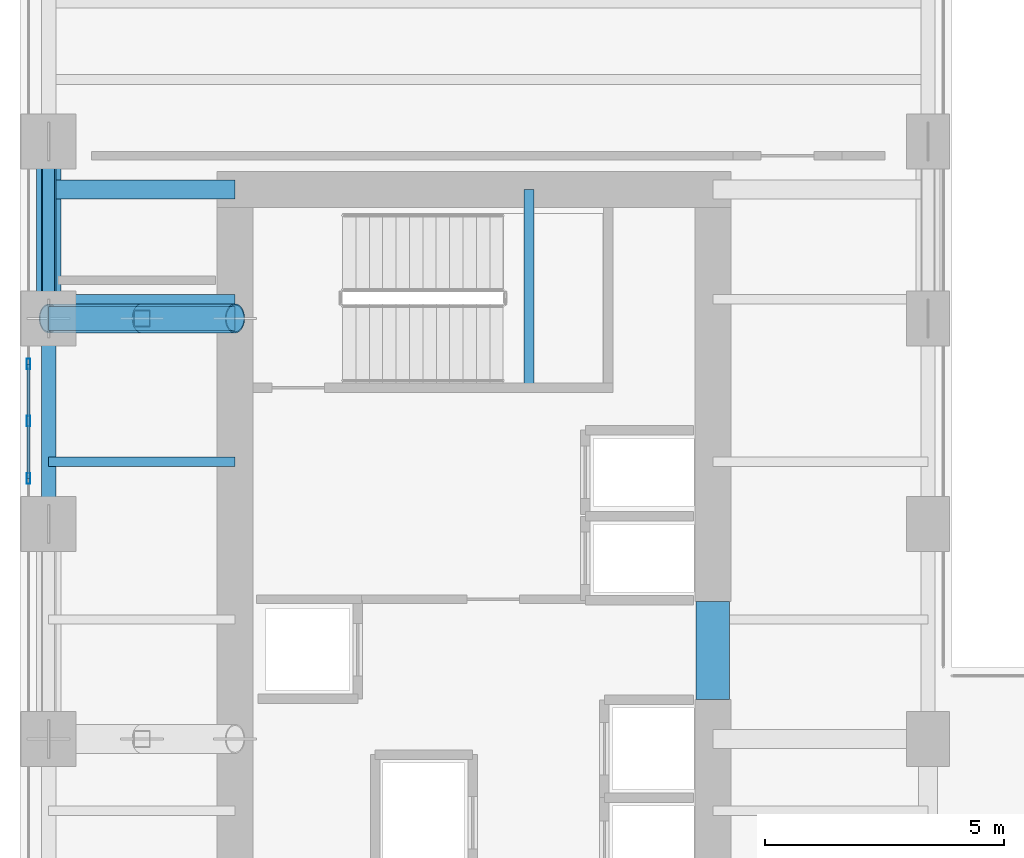
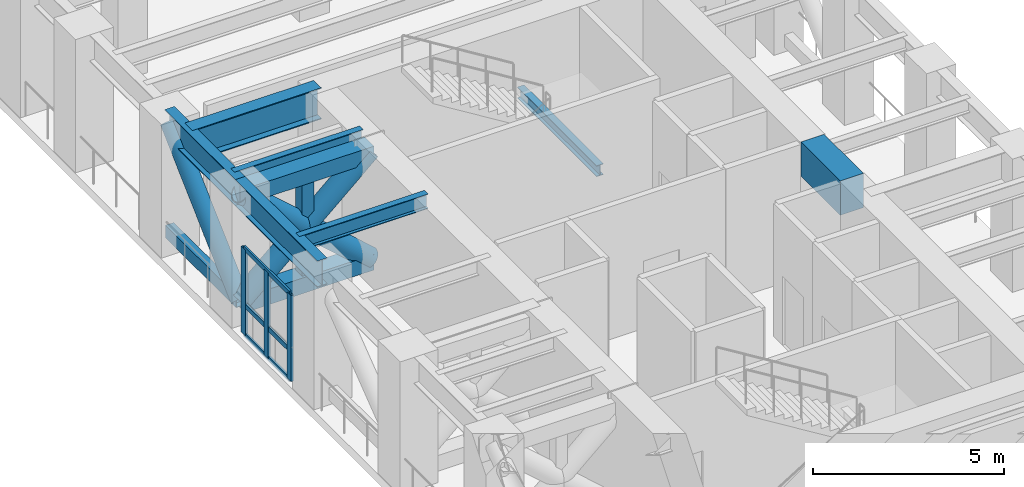
# One storey, part 4 of 16: 14 members, 7 beams, 1 element without a shape of its own.
"""IFC4 building model written with IfcOpenShell, lengths in metres."""

from ifc_helpers import new_model, si_unit, direction, frame, origin, origin_2d, place, context, subcontext, project, spatial, rectangle, hollow_rectangle, hollow_circle, i_section, extrude, source, transform, mapped, material, layer, layer_set, material_profile, profile_set, type_object, element, aggregate, save


model = new_model("IFC4")

# Units and contexts
model_context = context("Model", 3, precision=1e-05, world=origin(), true_north=direction((0.0, 1.0)))
body_context = subcontext(model_context, "Body", "Model", "MODEL_VIEW")
ifc_project = project(units=[si_unit("LENGTHUNIT", "METRE"), si_unit("AREAUNIT", "SQUARE_METRE"), si_unit("VOLUMEUNIT", "CUBIC_METRE"), si_unit("PLANEANGLEUNIT", "RADIAN"), si_unit("MASSUNIT", "GRAM", prefix="KILO")], contexts=[model_context])

# Site, building, storey
site_placement = place(None, origin())
site = spatial("IfcSite", under=ifc_project, at=site_placement, CompositionType="ELEMENT")
building_placement = place(site_placement, origin())
building = spatial("IfcBuilding", under=site, at=building_placement, Name="Kharzan Plaza Tower", CompositionType="ELEMENT")
storey_placement = place(building_placement, frame((0.0, 0.0, 138.60009765625)))
storey = spatial("IfcBuildingStorey", under=building, at=storey_placement, Name="L37", CompositionType="ELEMENT", Elevation=138.60009765625)

# Beams
ifc_material_1 = material(Name="Concrete C60/75", Category="concrete")
ifc_material_profile_1 = material_profile(ifc_material_1, rectangle(XDim=0.699951171875, YDim=1.10009765625, at=origin_2d()), Name="RC-CB1100x700")
ifc_profile_set_1 = profile_set([ifc_material_profile_1], Name="Concrete C60/75")
beam_type_1 = type_object("IfcBeamType", Name="BM-RCCB1100", PredefinedType="LINTEL", material=ifc_profile_set_1)
shared_shape_1 = source(origin(), body_context, "Body", "SweptSolid", [
    extrude(rectangle(XDim=0.699951171875, YDim=1.10009765625, at=origin_2d()), origin(), (0.0, 0.0, 1.0), 2.059814453125),
])
beam_1_placement = place(storey_placement, frame((14.5, 18.820068359375, 3.7099609375), z_axis=(0.0, 1.0, 0.0), x_axis=(-1.0, 0.0, 0.0)))
element("IfcBeam", 1, at=beam_1_placement, inside=storey, type_object=beam_type_1, Name="L37 CORE-A RC coupling beam CB1", PredefinedType="LINTEL", context=body_context, shape_type="MappedRepresentation", body=[
    mapped(shared_shape_1, transform((0.0, 0.0, 0.0), x_axis=(1.0, 0.0, 0.0), y_axis=(0.0, 1.0, 0.0), z_axis=(0.0, 0.0, 1.0))),
])
ifc_material_2 = material(Name="Steel S355", Category="steel")
ifc_material_profile_2 = material_profile(ifc_material_2, i_section(OverallWidth=0.205078125, OverallDepth=0.35400390625, WebThickness=0.009521484375, FlangeThickness=0.016845703125, at=origin_2d()), Name="W360x79")
ifc_profile_set_2 = profile_set([ifc_material_profile_2], Name="Steel S355")
beam_type_2 = type_object("IfcBeamType", Name="BM-LNT360", PredefinedType="LINTEL", material=ifc_profile_set_2)
shared_shape_2 = source(origin(), body_context, "Body", "SweptSolid", [
    extrude(i_section(OverallWidth=0.205078125, OverallDepth=0.35400390625, WebThickness=0.009521484375, FlangeThickness=0.016845703125, at=origin_2d()), origin(), (0.0, 0.0, 1.0), 4.155029296875),
])
beam_2_placement = place(storey_placement, frame((10.64990234375, 25.344970703125, 1.872802734375), z_axis=(0.0, 1.0, 0.0), x_axis=(-1.0, 0.0, 0.0)))
element("IfcBeam", 2, at=beam_2_placement, inside=storey, type_object=beam_type_2, Name="L37 Stair ST-2 Half-Landing Beam", PredefinedType="LINTEL", context=body_context, shape_type="MappedRepresentation", body=[
    mapped(shared_shape_2, transform((0.0, 0.0, 0.0), x_axis=(1.0, 0.0, 0.0), y_axis=(0.0, 1.0, 0.0), z_axis=(0.0, 0.0, 1.0))),
])
ifc_material_profile_3 = material_profile(ifc_material_2, i_section(OverallWidth=0.194091796875, OverallDepth=0.468994140625, WebThickness=0.011474609375, FlangeThickness=0.0205078125, at=origin_2d()), Name="W460x106")
ifc_profile_set_3 = profile_set([ifc_material_profile_3], Name="Steel S355")
beam_type_3 = type_object("IfcBeamType", Name="BM-JST460", PredefinedType="JOIST", material=ifc_profile_set_3)
shared_shape_3 = source(origin(), body_context, "Body", "SweptSolid", [
    extrude(i_section(OverallWidth=0.194091796875, OverallDepth=0.468994140625, WebThickness=0.011474609375, FlangeThickness=0.0205078125, at=origin_2d()), origin(), (0.0, 0.0, 1.0), 3.89990234375),
])
for number, where, z_axis, x_axis, name in (
    (3, (0.60009765625, 23.800048828125, 4.025390625), (1.0, 0.0, 0.0), (0.0, 1.0, 0.0), "L37 Wing A West Infill Joist 5"),
    (4, (0.60009765625, 27.199951171875, 4.025390625), (1.0, 0.0, 0.0), (0.0, 1.0, 0.0), "L37 Wing A West Infill Joist 6"),
):
    element("IfcBeam", number, at=place(storey_placement, frame(where, z_axis=z_axis, x_axis=x_axis)), inside=storey, type_object=beam_type_3, Name=name, PredefinedType="JOIST", context=body_context, shape_type="MappedRepresentation", body=[
        mapped(shared_shape_3, transform((0.0, 0.0, 0.0), x_axis=(1.0, 0.0, 0.0), y_axis=(0.0, 1.0, 0.0), z_axis=(0.0, 0.0, 1.0))),
    ])

# Curtain wall, members
ifc_material_3 = material(Name="Unitised Bronze-Anodized Aluminium and Low-E Glass", Category="aluminium")
ifc_layer = layer(ifc_material_3, 0.199951171875)
ifc_layer_set = layer_set([ifc_layer], Name="Unitised Bronze-Anodized Aluminium and Low-E Glass")
curtain_wall_type = type_object("IfcCurtainWallType", Name="CW-SKY-4", PredefinedType="NOTDEFINED", material=ifc_layer_set)
curtain_wall_placement = place(storey_placement, origin())
curtain_wall = element("IfcCurtainWall", 5, at=curtain_wall_placement, inside=storey, type_object=curtain_wall_type, Name="L37 Sky-Lobby and Transfer Zone Feature Curtain Wall", PredefinedType="NOTDEFINED")
ifc_material_4 = material(Name="Anodized Bronze Aluminium", Category="aluminium")
ifc_material_profile_4 = material_profile(ifc_material_4, hollow_rectangle(XDim=0.06005859375, YDim=0.14990234375, WallThickness=0.00341796875, at=origin_2d()), Name="ALU-T150x60x3.5")
ifc_profile_set_4 = profile_set([ifc_material_profile_4], Name="Anodized Bronze Aluminium")
member_type_1 = type_object("IfcMemberType", Name="MEM-CW-TRN150", PredefinedType="USERDEFINED", material=ifc_profile_set_4)
shared_shape_4 = source(origin(), body_context, "Body", "SweptSolid", [
    extrude(hollow_rectangle(XDim=0.06005859375, YDim=0.14990234375, WallThickness=0.00341796875, at=origin_2d()), origin(), (0.0, 0.0, 1.0), 2.400146484375),
])
member_1_placement = place(storey_placement, frame((0.179931640625, 23.449951171875, 0.0), z_axis=(0.0, 1.0, 0.0), x_axis=(-1.0, 0.0, 0.0)))
member_1 = element("IfcMember", 6, at=member_1_placement, type_object=member_type_1, Name="L37 Curtain-Wall Transom 1", ObjectType="TRANSOM", PredefinedType="USERDEFINED", context=body_context, shape_type="MappedRepresentation", body=[
    mapped(shared_shape_4, transform((0.0, 0.0, 0.0), x_axis=(1.0, 0.0, 0.0), y_axis=(0.0, 1.0, 0.0), z_axis=(0.0, 0.0, 1.0))),
])
member_2_placement = place(storey_placement, frame((0.179931640625, 23.449951171875, 0.949951171875), z_axis=(0.0, 1.0, 0.0), x_axis=(-1.0, 0.0, 0.0)))
member_2 = element("IfcMember", 7, at=member_2_placement, type_object=member_type_1, Name="L37 Curtain-Wall Transom 2", ObjectType="TRANSOM", PredefinedType="USERDEFINED", context=body_context, shape_type="MappedRepresentation", body=[
    mapped(shared_shape_4, transform((0.0, 0.0, 0.0), x_axis=(1.0, 0.0, 0.0), y_axis=(0.0, 1.0, 0.0), z_axis=(0.0, 0.0, 1.0))),
])
member_3_placement = place(storey_placement, frame((0.179931640625, 23.449951171875, 2.75), z_axis=(0.0, 1.0, 0.0), x_axis=(-1.0, 0.0, 0.0)))
member_3 = element("IfcMember", 8, at=member_3_placement, type_object=member_type_1, Name="L37 Curtain-Wall Transom 3", ObjectType="TRANSOM", PredefinedType="USERDEFINED", context=body_context, shape_type="MappedRepresentation", body=[
    mapped(shared_shape_4, transform((0.0, 0.0, 0.0), x_axis=(1.0, 0.0, 0.0), y_axis=(0.0, 1.0, 0.0), z_axis=(0.0, 0.0, 1.0))),
])

# Beam
ifc_material_profile_5 = material_profile(ifc_material_2, i_section(OverallWidth=0.39794921875, OverallDepth=1.0, WebThickness=0.017578125, FlangeThickness=0.02880859375, at=origin_2d()), Name="W1000x321")
ifc_profile_set_5 = profile_set([ifc_material_profile_5], Name="Steel S355")
beam_type_4 = type_object("IfcBeamType", Name="BM-PG1000B", PredefinedType="BEAM", material=ifc_profile_set_5)
shared_shape_5 = source(origin(), body_context, "Body", "SweptSolid", [
    extrude(i_section(OverallWidth=0.39794921875, OverallDepth=1.0, WebThickness=0.017578125, FlangeThickness=0.02880859375, at=origin_2d()), origin(), (0.0, 0.0, 1.0), 3.89990234375),
])
beam_3_placement = place(storey_placement, frame((0.60009765625, 29.5, 3.760009765625), z_axis=(1.0, 0.0, 0.0), x_axis=(0.0, 1.0, 0.0)))
element("IfcBeam", 9, at=beam_3_placement, inside=storey, type_object=beam_type_4, Name="L37 Core-A West Floor Girder 3", PredefinedType="BEAM", context=body_context, shape_type="MappedRepresentation", body=[
    mapped(shared_shape_5, transform((0.0, 0.0, 0.0), x_axis=(1.0, 0.0, 0.0), y_axis=(0.0, 1.0, 0.0), z_axis=(0.0, 0.0, 1.0))),
])

# Members
ifc_material_profile_6 = material_profile(ifc_material_2, hollow_rectangle(XDim=0.25, YDim=0.39990234375, WallThickness=0.01611328125, at=origin_2d()), Name="RHS400x250x16")
ifc_profile_set_6 = profile_set([ifc_material_profile_6], Name="Steel S355")
member_type_2 = type_object("IfcMemberType", Name="MEM-BT-CHORD", PredefinedType="CHORD", material=ifc_profile_set_6)
shared_shape_6 = source(origin(), body_context, "Body", "SweptSolid", [
    extrude(hollow_rectangle(XDim=0.25, YDim=0.39990234375, WallThickness=0.01611328125, at=origin_2d()), origin(), (0.0, 0.0, 1.0), 3.699951171875),
])
member_4_placement = place(storey_placement, frame((0.60009765625, 26.800048828125, 0.349853515625), z_axis=(0.0, 1.0, 0.0), x_axis=(-1.0, 0.0, 0.0)))
element("IfcMember", 10, at=member_4_placement, inside=storey, type_object=member_type_2, Name="L37 Belt Truss Bottom Chord BTW-4", PredefinedType="CHORD", context=body_context, shape_type="MappedRepresentation", body=[
    mapped(shared_shape_6, transform((0.0, 0.0, 0.0), x_axis=(1.0, 0.0, 0.0), y_axis=(0.0, 1.0, 0.0), z_axis=(0.0, 0.0, 1.0))),
])
ifc_material_profile_7 = material_profile(ifc_material_2, hollow_circle(Radius=0.25390625, WallThickness=0.02001953125, at=origin_2d()), Name="CHS508x20")
ifc_profile_set_7 = profile_set([ifc_material_profile_7], Name="Steel S355")
member_type_3 = type_object("IfcMemberType", Name="MEM-BT-DIAG", PredefinedType="BRACE", material=ifc_profile_set_7)
shared_shape_7 = source(origin(), body_context, "Body", "SweptSolid", [
    extrude(hollow_circle(Radius=0.25390625, WallThickness=0.02001953125, at=origin_2d()), origin(), (0.0, 0.0, 1.0), 5.065673828125),
])
member_5_placement = place(storey_placement, frame((0.60009765625, 26.800048828125, 0.349853515625), z_axis=(0.0, 0.730397826417, 0.683021972681), x_axis=(-1.0, 0.0, 0.0)))
element("IfcMember", 11, at=member_5_placement, inside=storey, type_object=member_type_3, Name="L37 Belt Truss Diagonal BTW-4", PredefinedType="BRACE", context=body_context, shape_type="MappedRepresentation", body=[
    mapped(shared_shape_7, transform((0.0, 0.0, 0.0), x_axis=(1.0, 0.0, 0.0), y_axis=(0.0, 1.0, 0.0), z_axis=(0.0, 0.0, 1.0))),
])

# Member
ifc_material_profile_8 = material_profile(ifc_material_4, hollow_rectangle(XDim=0.074951171875, YDim=0.219970703125, WallThickness=0.00390625, at=origin_2d()), Name="ALU-M220x75x4")
ifc_profile_set_8 = profile_set([ifc_material_profile_8], Name="Anodized Bronze Aluminium")
member_type_4 = type_object("IfcMemberType", Name="MEM-CW-MUL200", PredefinedType="MULLION", material=ifc_profile_set_8)
shared_shape_8 = source(origin(), body_context, "Body", "SweptSolid", [
    extrude(hollow_rectangle(XDim=0.074951171875, YDim=0.219970703125, WallThickness=0.00390625, at=origin_2d()), origin(), (0.0, 0.0, 1.0), 2.75),
])
member_6_placement = place(storey_placement, frame((0.179931640625, 23.449951171875, 0.0), z_axis=(0.0, 0.0, 1.0), x_axis=(1.0, 0.0, 0.0)))
member_6 = element("IfcMember", 12, at=member_6_placement, type_object=member_type_4, Name="L37 Curtain-Wall Mullion 00", PredefinedType="MULLION", context=body_context, shape_type="MappedRepresentation", body=[
    mapped(shared_shape_8, transform((0.0, 0.0, 0.0), x_axis=(1.0, 0.0, 0.0), y_axis=(0.0, 1.0, 0.0), z_axis=(0.0, 0.0, 1.0))),
])

member_7_placement = place(storey_placement, frame((0.179931640625, 24.64990234375, 0.0), z_axis=(0.0, 0.0, 1.0), x_axis=(1.0, 0.0, 0.0)))
member_7 = element("IfcMember", 13, at=member_7_placement, type_object=member_type_4, Name="L37 Curtain-Wall Mullion 01", PredefinedType="MULLION", context=body_context, shape_type="MappedRepresentation", body=[
    mapped(shared_shape_8, transform((0.0, 0.0, 0.0), x_axis=(1.0, 0.0, 0.0), y_axis=(0.0, 1.0, 0.0), z_axis=(0.0, 0.0, 1.0))),
])

member_8_placement = place(storey_placement, frame((0.179931640625, 25.85009765625, 0.0), z_axis=(0.0, 0.0, 1.0), x_axis=(1.0, 0.0, 0.0)))
member_8 = element("IfcMember", 14, at=member_8_placement, type_object=member_type_4, Name="L37 Curtain-Wall Mullion 02", PredefinedType="MULLION", context=body_context, shape_type="MappedRepresentation", body=[
    mapped(shared_shape_8, transform((0.0, 0.0, 0.0), x_axis=(1.0, 0.0, 0.0), y_axis=(0.0, 1.0, 0.0), z_axis=(0.0, 0.0, 1.0))),
])

aggregate(curtain_wall, [member_6, member_7, member_8, member_1, member_2, member_3])

# Members
ifc_material_profile_9 = material_profile(ifc_material_2, hollow_rectangle(XDim=0.5, YDim=0.5, WallThickness=0.02490234375, at=origin_2d()), Name="SHS500x500x25")
ifc_profile_set_9 = profile_set([ifc_material_profile_9], Name="Steel S355")
member_type_5 = type_object("IfcMemberType", Name="MEM-OT-CHORD", PredefinedType="CHORD", material=ifc_profile_set_9)
shared_shape_9 = source(origin(), body_context, "Body", "SweptSolid", [
    extrude(hollow_rectangle(XDim=0.5, YDim=0.5, WallThickness=0.02490234375, at=origin_2d()), origin(), (0.0, 0.0, 1.0), 3.89990234375),
])
for number, where, z_axis, x_axis, name in (
    (15, (4.5, 26.800048828125, 0.349853515625), (-1.0, 0.0, 0.0), (0.0, -1.0, 0.0), "L37 Outrigger Truss Bottom Chord OTA-E2"),
    (16, (4.5, 26.800048828125, 3.809814453125), (-1.0, 0.0, 0.0), (0.0, -1.0, 0.0), "L37 Outrigger Truss Top Chord OTA-E2"),
):
    element("IfcMember", number, at=place(storey_placement, frame(where, z_axis=z_axis, x_axis=x_axis)), inside=storey, type_object=member_type_5, Name=name, PredefinedType="CHORD", context=body_context, shape_type="MappedRepresentation", body=[
        mapped(shared_shape_9, transform((0.0, 0.0, 0.0), x_axis=(1.0, 0.0, 0.0), y_axis=(0.0, 1.0, 0.0), z_axis=(0.0, 0.0, 1.0))),
    ])
ifc_material_profile_10 = material_profile(ifc_material_2, hollow_circle(Radius=0.304931640625, WallThickness=0.02490234375, at=origin_2d()), Name="CHS610x25")
ifc_profile_set_10 = profile_set([ifc_material_profile_10], Name="Steel S355")
member_type_6 = type_object("IfcMemberType", Name="MEM-OT-DIAG", PredefinedType="BRACE", material=ifc_profile_set_10)
shared_shape_10 = source(origin(), body_context, "Body", "SweptSolid", [
    extrude(hollow_circle(Radius=0.304931640625, WallThickness=0.02490234375, at=origin_2d()), origin(), (0.0, 0.0, 1.0), 5.21337890625),
])
member_9_placement = place(storey_placement, frame((4.5, 26.800048828125, 0.349853515625), z_axis=(-0.748039391484, 0.0, 0.663654329292), x_axis=(0.0, -1.0, 0.0)))
element("IfcMember", 17, at=member_9_placement, inside=storey, type_object=member_type_6, Name="L37 Outrigger Truss Diagonal OTA-E2-1", PredefinedType="BRACE", context=body_context, shape_type="MappedRepresentation", body=[
    mapped(shared_shape_10, transform((0.0, 0.0, 0.0), x_axis=(1.0, 0.0, 0.0), y_axis=(0.0, 1.0, 0.0), z_axis=(0.0, 0.0, 1.0))),
])
shared_shape_11 = source(origin(), body_context, "Body", "SweptSolid", [
    extrude(hollow_circle(Radius=0.304931640625, WallThickness=0.02490234375, at=origin_2d()), origin(), (0.0, 0.0, 1.0), 2.606689453125),
])
for number, where, z_axis, x_axis, name in (
    (18, (4.5, 26.800048828125, 3.809814453125), (-0.748039391484, 0.0, -0.663654329292), (0.0, -1.0, 0.0), "L37 Outrigger Truss Split Diagonal OTA-E2-2A"),
    (19, (2.550048828125, 26.800048828125, 2.079833984375), (-0.748039391484, 0.0, -0.663654329292), (0.0, -1.0, 0.0), "L37 Outrigger Truss Split Diagonal OTA-E2-2B"),
):
    element("IfcMember", number, at=place(storey_placement, frame(where, z_axis=z_axis, x_axis=x_axis)), inside=storey, type_object=member_type_6, Name=name, PredefinedType="BRACE", context=body_context, shape_type="MappedRepresentation", body=[
        mapped(shared_shape_11, transform((0.0, 0.0, 0.0), x_axis=(1.0, 0.0, 0.0), y_axis=(0.0, 1.0, 0.0), z_axis=(0.0, 0.0, 1.0))),
    ])
ifc_material_profile_11 = material_profile(ifc_material_2, hollow_rectangle(XDim=0.35009765625, YDim=0.35009765625, WallThickness=0.01611328125, at=origin_2d()), Name="SHS350x350x16")
ifc_profile_set_11 = profile_set([ifc_material_profile_11], Name="Steel S355")
member_type_7 = type_object("IfcMemberType", Name="MEM-OT-POST", PredefinedType="POST", material=ifc_profile_set_11)
shared_shape_12 = source(origin(), body_context, "Body", "SweptSolid", [
    extrude(hollow_rectangle(XDim=0.35009765625, YDim=0.35009765625, WallThickness=0.01611328125, at=origin_2d()), origin(), (0.0, 0.0, 1.0), 3.4599609375),
])
member_10_placement = place(storey_placement, frame((2.550048828125, 26.800048828125, 0.349853515625), z_axis=(0.0, 0.0, 1.0), x_axis=(1.0, 0.0, 0.0)))
element("IfcMember", 20, at=member_10_placement, inside=storey, type_object=member_type_7, Name="L37 Outrigger Truss Web Post OTA-E2", PredefinedType="POST", context=body_context, shape_type="MappedRepresentation", body=[
    mapped(shared_shape_12, transform((0.0, 0.0, 0.0), x_axis=(1.0, 0.0, 0.0), y_axis=(0.0, 1.0, 0.0), z_axis=(0.0, 0.0, 1.0))),
])

# Beams
ifc_material_profile_12 = material_profile(ifc_material_2, i_section(OverallWidth=0.299072265625, OverallDepth=0.845947265625, WebThickness=0.015380859375, FlangeThickness=0.0244140625, at=origin_2d()), Name="W840x210")
ifc_profile_set_12 = profile_set([ifc_material_profile_12], Name="Steel S355")
beam_type_5 = type_object("IfcBeamType", Name="BM-SP840B", PredefinedType="SPANDREL", material=ifc_profile_set_12)
shared_shape_13 = source(origin(), body_context, "Body", "SweptSolid", [
    extrude(i_section(OverallWidth=0.299072265625, OverallDepth=0.845947265625, WebThickness=0.015380859375, FlangeThickness=0.0244140625, at=origin_2d()), origin(), (0.0, 0.0, 1.0), 4.300048828125),
])
beam_4_placement = place(storey_placement, frame((0.60009765625, 22.5, 3.8369140625), z_axis=(0.0, 1.0, 0.0), x_axis=(-1.0, 0.0, 0.0)))
element("IfcBeam", 21, at=beam_4_placement, inside=storey, type_object=beam_type_5, Name="L37 Perimeter Tube Spandrel", PredefinedType="SPANDREL", context=body_context, shape_type="MappedRepresentation", body=[
    mapped(shared_shape_13, transform((0.0, 0.0, 0.0), x_axis=(1.0, 0.0, 0.0), y_axis=(0.0, 1.0, 0.0), z_axis=(0.0, 0.0, 1.0))),
])
shared_shape_14 = source(origin(), body_context, "Body", "SweptSolid", [
    extrude(i_section(OverallWidth=0.299072265625, OverallDepth=0.845947265625, WebThickness=0.015380859375, FlangeThickness=0.0244140625, at=origin_2d()), origin(), (0.0, 0.0, 1.0), 3.699951171875),
])
beam_5_placement = place(storey_placement, frame((0.60009765625, 26.800048828125, 3.8369140625), z_axis=(0.0, 1.0, 0.0), x_axis=(-1.0, 0.0, 0.0)))
element("IfcBeam", 22, at=beam_5_placement, inside=storey, type_object=beam_type_5, Name="L37 Perimeter Tube Spandrel", PredefinedType="SPANDREL", context=body_context, shape_type="MappedRepresentation", body=[
    mapped(shared_shape_14, transform((0.0, 0.0, 0.0), x_axis=(1.0, 0.0, 0.0), y_axis=(0.0, 1.0, 0.0), z_axis=(0.0, 0.0, 1.0))),
])

save(model, "model.ifc")
